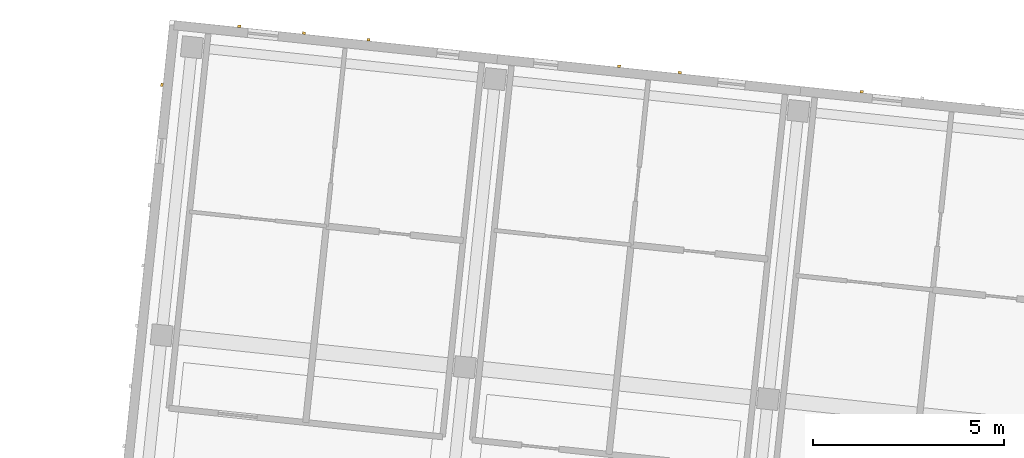
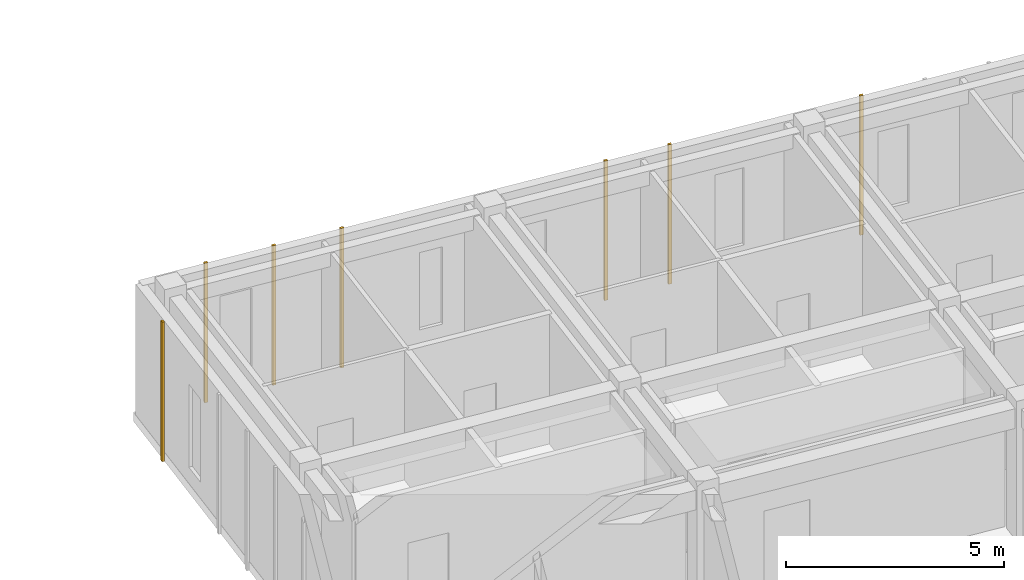
# One storey, part 140 of 150: 7 coverings.
"""IFC4 building model written with IfcOpenShell, lengths in metres."""

import ifcopenshell
import ifcopenshell.guid

model = None  # the IFC model being written
_history = None  # IfcOwnerHistory: only IFC2X3 demands one
_inside = {}  # id of a spatial element -> (the spatial element, [elements in it])
_under = {}  # id of a project, library or spatial element -> (it, [spatial elements below it])
_declared = {}  # id of a project -> (the project, [libraries it declares])
_typed = {}  # id of a type object -> (the type object, [elements of that type])
_made_of = {}  # id of a material, layer set ... -> (it, [elements and type objects made of it])


def new_model(schema):
    """Start an empty IFC model of exactly this schema.

    Asked for "IFC4X3", IfcOpenShell would pick the latest addendum, in which some entities
    have other attributes; the version numbers below select the first issue.
    IFC2X3 requires an IfcOwnerHistory on every rooted entity: one is made here for all.
    """
    global model, _history
    if schema == "IFC4X3":
        model = ifcopenshell.file(schema_version=(4, 3, 0, 0))
    else:
        model = ifcopenshell.file(schema=schema)
    _inside.clear()
    _under.clear()
    _declared.clear()
    _typed.clear()
    _made_of.clear()
    _history = None
    if model.schema == "IFC2X3":
        org = make("IfcOrganization", Name="unknown")
        user = make(
            "IfcPersonAndOrganization",
            ThePerson=make("IfcPerson", FamilyName="unknown"),
            TheOrganization=org,
        )
        app = make(
            "IfcApplication",
            ApplicationDeveloper=org,
            Version="unknown",
            ApplicationFullName="unknown",
            ApplicationIdentifier="unknown",
        )
        _history = make(
            "IfcOwnerHistory",
            OwningUser=user,
            OwningApplication=app,
            ChangeAction="ADDED",
            CreationDate=0,
        )
    return model


def make(cls, **values):
    """One entity of the class cls with the attributes given. An attribute that is None is left unset."""
    return model.create_entity(
        cls, **{name: value for name, value in values.items() if value is not None}
    )


def rooted(cls, **values):
    """An entity with a GlobalId (a new one), such as an element, a storey or a relation."""
    return make(cls, GlobalId=ifcopenshell.guid.new(), OwnerHistory=_history, **values)


def si_unit(unit_type, name, prefix=None):
    """IfcSIUnit, for example si_unit("LENGTHUNIT", "METRE", prefix="MILLI")."""
    return make("IfcSIUnit", UnitType=unit_type, Prefix=prefix, Name=name)


def assignment(units):
    """IfcUnitAssignment: the units of a project."""
    return None if units is None else make("IfcUnitAssignment", Units=units)


def point(xyz):
    """IfcCartesianPoint."""
    return None if xyz is None else make("IfcCartesianPoint", Coordinates=xyz)


def direction(xyz):
    """IfcDirection."""
    return None if xyz is None else make("IfcDirection", DirectionRatios=xyz)


def frame(location, z_axis=None, x_axis=None):
    """IfcAxis2Placement3D, a coordinate frame: its origin and axes. An axis left out is left unset."""
    return make(
        "IfcAxis2Placement3D",
        Location=point(location),
        Axis=direction(z_axis),
        RefDirection=direction(x_axis),
    )


def frame_2d(location, x_axis=None):
    """IfcAxis2Placement2D, a coordinate frame in the plane: its origin and x axis."""
    return make(
        "IfcAxis2Placement2D", Location=point(location), RefDirection=direction(x_axis)
    )


def origin():
    """The frame at (0, 0, 0) with its axes left unset."""
    return frame((0.0, 0.0, 0.0))


def origin_2d():
    """The frame at (0, 0) in the plane with its x axis left unset."""
    return frame_2d((0.0, 0.0))


def place(relative_to, where):
    """IfcLocalPlacement: puts the frame where relative to a parent placement (None: the world)."""
    return make(
        "IfcLocalPlacement", PlacementRelTo=relative_to, RelativePlacement=where
    )


def context(
    kind, dimensions, precision=None, world=None, true_north=None, identifier=None
):
    """IfcGeometricRepresentationContext, for example the 3D "Model" context."""
    return make(
        "IfcGeometricRepresentationContext",
        ContextIdentifier=identifier,
        ContextType=kind,
        CoordinateSpaceDimension=dimensions,
        Precision=precision,
        WorldCoordinateSystem=world,
        TrueNorth=true_north,
    )


def subcontext(parent, identifier, kind, view, scale=None):
    """IfcGeometricRepresentationSubContext, for example "Body" below "Model"."""
    return make(
        "IfcGeometricRepresentationSubContext",
        ContextIdentifier=identifier,
        ContextType=kind,
        ParentContext=parent,
        TargetScale=scale,
        TargetView=view,
    )


def project(units=None, contexts=None):
    """IfcProject with its units and contexts."""
    return rooted(
        "IfcProject",
        Name="project",
        RepresentationContexts=contexts,
        UnitsInContext=assignment(units),
    )


def spatial(cls, under=None, at=None, **own):
    """A site, building, storey or space (cls), placed at a placement, below another one or the project."""
    s = rooted(cls, ObjectPlacement=at, **own)
    if under is not None:
        _under.setdefault(under.id(), (under, []))[1].append(s)
    return s


def profile(cls, at=None, kind="AREA", **sizes):
    """A parametric profile (cls). Its sizes go by their IFC names, for example OverallWidth=200.0."""
    return make(cls, ProfileType=kind, Position=at, **sizes)


def rectangle(**sizes):
    """IfcRectangleProfileDef."""
    return profile("IfcRectangleProfileDef", **sizes)


def extrude(swept, where, along, depth):
    """IfcExtrudedAreaSolid: the profile swept, set in the frame where, extruded along a direction by depth."""
    return make(
        "IfcExtrudedAreaSolid",
        SweptArea=swept,
        Position=where,
        ExtrudedDirection=direction(along),
        Depth=depth,
    )


def shape(context_of_items, identifier, shape_type, items):
    """IfcShapeRepresentation: the items that make up one representation, for example the "Body"."""
    return make(
        "IfcShapeRepresentation",
        ContextOfItems=context_of_items,
        RepresentationIdentifier=identifier,
        RepresentationType=shape_type,
        Items=items,
    )


def material(Name=None, Category=None):
    """IfcMaterial."""
    return make("IfcMaterial", Name=Name, Category=Category)


def layer(
    of_material, thickness, ventilated=None, Name=None, Category=None, Priority=None
):
    """IfcMaterialLayer: one layer of a wall or slab, of a material (None: an air gap)."""
    return make(
        "IfcMaterialLayer",
        Material=of_material,
        LayerThickness=thickness,
        IsVentilated=ventilated,
        Name=Name,
        Category=Category,
        Priority=Priority,
    )


def layer_set(layers, Name=None):
    """IfcMaterialLayerSet."""
    return make("IfcMaterialLayerSet", MaterialLayers=layers, LayerSetName=Name)


def made_of(thing, what):
    """Note that an element or type object is made of a material, layer set ...; save() writes the relation."""
    if what is not None:
        _made_of.setdefault(what.id(), (what, []))[1].append(thing)
    return thing


def type_object(cls, material=None, **own):
    """A type object (cls), such as IfcWallType, which elements share."""
    return made_of(rooted(cls, **own), material)


def element(
    cls,
    number,
    at=None,
    inside=None,
    cuts=None,
    type_object=None,
    material=None,
    context=None,
    identifier="Body",
    shape_type=None,
    held_by="IfcProductDefinitionShape",
    body=None,
    shapes=None,
    **own,
):
    """One element of the class cls, such as IfcWall. Its Tag is "e" and its number.

    at: its placement. inside: the storey or other place that contains it. cuts: it is an
    opening in that element (IfcRelVoidsElement). A single representation is given by context,
    identifier, shape_type and body (its items); several are given by shapes. held_by: the class
    of the entity that holds the representations. save() writes the other relations.
    """
    e = rooted(cls, Tag="e%d" % number, ObjectPlacement=at, **own)
    if body is not None:
        shapes = [shape(context, identifier, shape_type, body)]
    if shapes is not None:
        e.Representation = make(held_by, Representations=shapes)
    if inside is not None:
        _inside.setdefault(inside.id(), (inside, []))[1].append(e)
    if cuts is not None:
        rooted(
            "IfcRelVoidsElement", RelatingBuildingElement=cuts, RelatedOpeningElement=e
        )
    if type_object is not None:
        _typed.setdefault(type_object.id(), (type_object, []))[1].append(e)
    return made_of(e, material)


def aggregate(whole, parts):
    """IfcRelAggregates: a whole, such as a stair, and the parts it consists of."""
    return rooted("IfcRelAggregates", RelatingObject=whole, RelatedObjects=parts)


def save(model, path):
    """Write the relations noted so far, then the file.

    IfcRelAggregates (storeys below a building ...), IfcRelContainedInSpatialStructure (elements
    in a storey), IfcRelDefinesByType, IfcRelAssociatesMaterial and IfcRelDeclares: one each for
    every whole, place, type object, material and project.
    """
    for whole, parts in _under.values():
        aggregate(whole, parts)
    for where, things in _inside.values():
        rooted(
            "IfcRelContainedInSpatialStructure",
            RelatedElements=things,
            RelatingStructure=where,
        )
    for kind, things in _typed.values():
        rooted("IfcRelDefinesByType", RelatedObjects=things, RelatingType=kind)
    for what, things in _made_of.values():
        rooted("IfcRelAssociatesMaterial", RelatedObjects=things, RelatingMaterial=what)
    for by, libraries in _declared.values():
        rooted("IfcRelDeclares", RelatingContext=by, RelatedDefinitions=libraries)
    model.write(path)


model = new_model("IFC4")

# Units and contexts
model_context = context("Model", 3, precision=1e-05, world=origin(), true_north=direction((0.0, 1.0)))
body_context = subcontext(model_context, "Body", "Model", "MODEL_VIEW")
ifc_project = project(units=[si_unit("LENGTHUNIT", "METRE"), si_unit("AREAUNIT", "SQUARE_METRE"), si_unit("VOLUMEUNIT", "CUBIC_METRE"), si_unit("PLANEANGLEUNIT", "RADIAN"), si_unit("MASSUNIT", "GRAM", prefix="KILO")], contexts=[model_context])

# Site, building, storey
site_placement = place(None, origin())
site = spatial("IfcSite", under=ifc_project, at=site_placement, CompositionType="ELEMENT")
building_placement = place(site_placement, origin())
building = spatial("IfcBuilding", under=site, at=building_placement, Name="Kestramere Prow Commons", CompositionType="ELEMENT")
storey_placement = place(building_placement, frame((0.0, 0.0, 4.5)))
storey = spatial("IfcBuildingStorey", under=building, at=storey_placement, Name="L01", CompositionType="ELEMENT", Elevation=4.5)

# Coverings
ifc_material = material(Name="Weathered Zinc-Titanium Standing-Seam Cladding")
ifc_layer = layer(ifc_material, 0.074951171875)
ifc_layer_set = layer_set([ifc_layer], Name="Weathered Zinc-Titanium Standing-Seam Cladding")
covering_type = type_object("IfcCoveringType", Name="COV-CLAD-SEAM", PredefinedType="CLADDING", material=ifc_layer_set)
for number, where, z_axis, x_axis, name in (
    (1, (113.293212890625, 114.843017578125, -0.25), (0.0, 0.0, 1.0), (0.994521895368, -0.104528463268, 0.0), "EW-B-L01-N-0 Standing-Seam Rib 1"),
    (2, (114.98876953125, 114.664794921875, -0.25), (0.0, 0.0, 1.0), (0.994521895368, -0.104528463268, 0.0), "EW-B-L01-N-0 Standing-Seam Rib 2"),
    (3, (116.684326171875, 114.486572265625, -0.25), (0.0, 0.0, 1.0), (0.994521895368, -0.104528463268, 0.0), "EW-B-L01-N-0 Standing-Seam Rib 3"),
    (4, (123.25830078125, 113.795654296875, -0.25), (0.0, 0.0, 1.0), (0.994521895368, -0.104528463268, 0.0), "EW-B-L01-N-1 Standing-Seam Rib 2"),
    (5, (124.849365234375, 113.62841796875, -0.25), (0.0, 0.0, 1.0), (0.994521895368, -0.104528463268, 0.0), "EW-B-L01-N-1 Standing-Seam Rib 3"),
    (6, (129.623046875, 113.126708984375, -0.25), (0.0, 0.0, 1.0), (0.994521895368, -0.104528463268, 0.0), "EW-B-L01-N-2 Standing-Seam Rib 1"),
    (7, (111.263916015625, 113.305908203125, -0.25), (0.0, 0.0, 1.0), (0.104528463268, 0.994521895368, 0.0), "EW-B-L01-EAV Standing-Seam Rib 12"),
):
    element("IfcCovering", number, at=place(storey_placement, frame(where, z_axis=z_axis, x_axis=x_axis)), inside=storey, type_object=covering_type, Name=name, PredefinedType="CLADDING", context=body_context, shape_type="SweptSolid", body=[
        extrude(rectangle(XDim=0.0849609375, YDim=0.06494140625, at=origin_2d()), origin(), (0.0, 0.0, 1.0), 3.89990234375),
    ])

save(model, "model.ifc")
